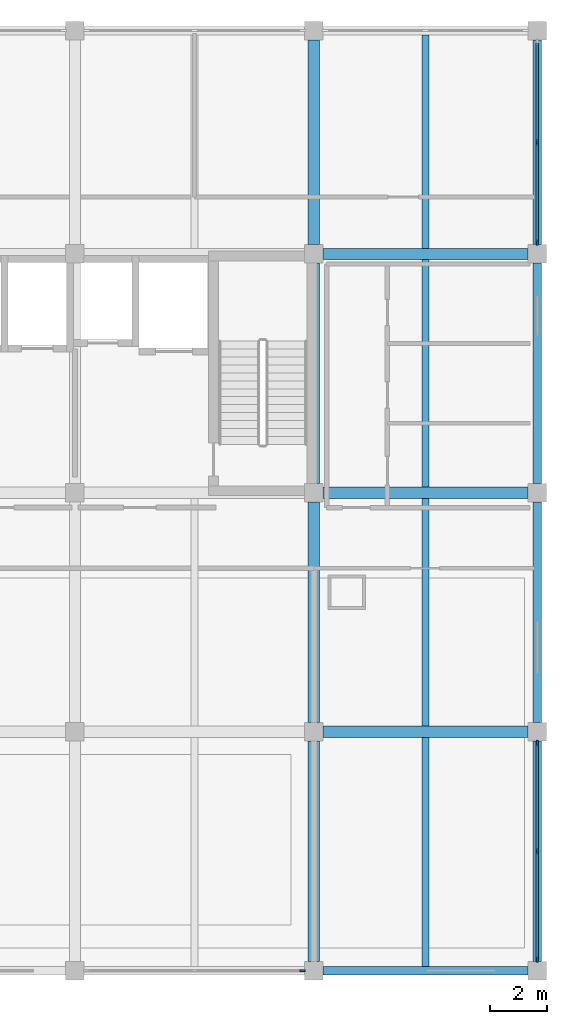
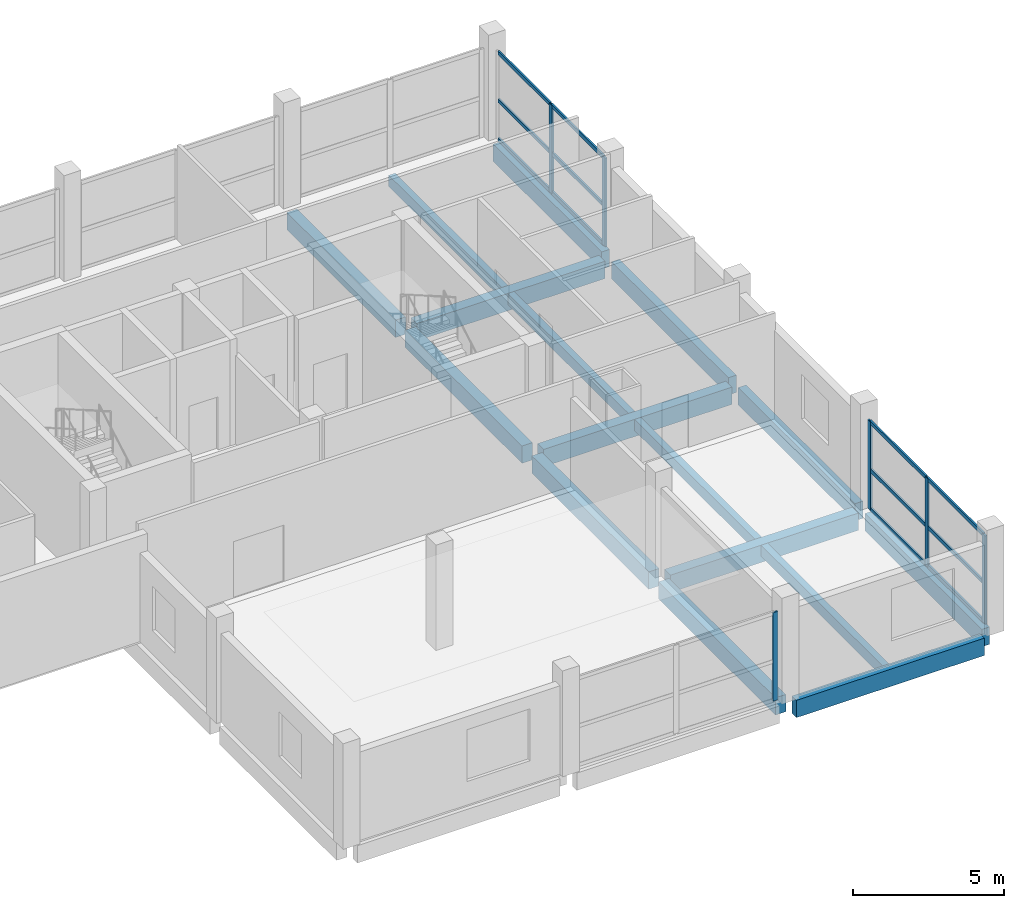
# One storey, part 4 of 9: 18 members, 16 beams, 3 elements without a shape of their own.
"""IFC4 building model written with IfcOpenShell, lengths in metres."""

from ifc_helpers import new_model, si_unit, direction, frame, origin, origin_2d, place, context, subcontext, project, spatial, rectangle, extrude, material, material_profile, profile_set, type_object, element, aggregate, save


model = new_model("IFC4")

# Units and contexts
model_context = context("Model", 3, precision=1e-05, world=origin(), true_north=direction((0.0, 1.0)))
body_context = subcontext(model_context, "Body", "Model", "MODEL_VIEW")
ifc_project = project(units=[si_unit("LENGTHUNIT", "METRE"), si_unit("AREAUNIT", "SQUARE_METRE"), si_unit("VOLUMEUNIT", "CUBIC_METRE"), si_unit("PLANEANGLEUNIT", "RADIAN"), si_unit("MASSUNIT", "GRAM", prefix="KILO")], contexts=[model_context])

# Site, building, storey
site_placement = place(None, origin())
site = spatial("IfcSite", under=ifc_project, at=site_placement, CompositionType="ELEMENT")
building_placement = place(site_placement, origin())
building = spatial("IfcBuilding", under=site, at=building_placement, Name="Brinegate Botanical Conservatory", CompositionType="ELEMENT")
storey_placement = place(building_placement, frame((0.0, 0.0, 61.199951171875)))
storey = spatial("IfcBuildingStorey", under=building, at=storey_placement, Name="L15", CompositionType="ELEMENT", Elevation=61.199951171875)

# Beams
ifc_material_1 = material(Name="Concrete C40/50", Category="concrete")
ifc_material_profile_1 = material_profile(ifc_material_1, rectangle(XDim=0.39990234375, YDim=0.699951171875, at=origin_2d()), Name="RC BM 400x700")
ifc_profile_set_1 = profile_set([ifc_material_profile_1], Name="Concrete C40/50")
beam_type_1 = type_object("IfcBeamType", Name="Beam_BM-T2", PredefinedType="BEAM", material=ifc_profile_set_1)
for number, where, z_axis, x_axis, name in (
    (1, (155.925048828125, 86.800048828125, -0.530029296875), (1.0, 0.0, 0.0), (0.0, 1.0, 0.0), "Beam BM-T2 L15 L:20-21"),
    (2, (155.925048828125, 95.199951171875, -0.530029296875), (1.0, 0.0, 0.0), (0.0, 1.0, 0.0), "Beam BM-T2 L15 M:20-21"),
    (3, (155.925048828125, 103.60009765625, -0.530029296875), (1.0, 0.0, 0.0), (0.0, 1.0, 0.0), "Beam BM-T2 L15 N:20-21"),
):
    element("IfcBeam", number, at=place(storey_placement, frame(where, z_axis=z_axis, x_axis=x_axis)), inside=storey, type_object=beam_type_1, Name=name, PredefinedType="BEAM", context=body_context, shape_type="SweptSolid", body=[
        extrude(rectangle(XDim=0.39990234375, YDim=0.699951171875, at=origin_2d()), origin(), (0.0, 0.0, 1.0), 7.199951171875),
    ])
for number, where, z_axis, x_axis, name in (
    (4, (155.60009765625, 78.72509765625, -0.530029296875), (0.0, 1.0, 0.0), (-1.0, 0.0, 0.0), "Beam BM-T2 L15 20:K-L"),
    (5, (155.60009765625, 87.125, -0.530029296875), (0.0, 1.0, 0.0), (-1.0, 0.0, 0.0), "Beam BM-T2 L15 20:L-M"),
    (6, (155.60009765625, 95.52490234375, -0.530029296875), (0.0, 1.0, 0.0), (-1.0, 0.0, 0.0), "Beam BM-T2 L15 20:M-N"),
):
    element("IfcBeam", number, at=place(storey_placement, frame(where, z_axis=z_axis, x_axis=x_axis)), inside=storey, type_object=beam_type_1, Name=name, PredefinedType="BEAM", context=body_context, shape_type="SweptSolid", body=[
        extrude(rectangle(XDim=0.39990234375, YDim=0.699951171875, at=origin_2d()), origin(), (0.0, 0.0, 1.0), 7.75),
    ])
beam_1_placement = place(storey_placement, frame((155.60009765625, 103.925048828125, -0.530029296875), z_axis=(0.0, 1.0, 0.0), x_axis=(-1.0, 0.0, 0.0)))
element("IfcBeam", 7, at=beam_1_placement, inside=storey, type_object=beam_type_1, Name="Beam BM-T2 L15 20:N-P", PredefinedType="BEAM", context=body_context, shape_type="SweptSolid", body=[
    extrude(rectangle(XDim=0.39990234375, YDim=0.699951171875, at=origin_2d()), origin(), (0.0, 0.0, 1.0), 7.199951171875),
])
ifc_material_profile_2 = material_profile(ifc_material_1, rectangle(XDim=0.25, YDim=0.449951171875, at=origin_2d()), Name="RC JST 250x450")
ifc_profile_set_2 = profile_set([ifc_material_profile_2], Name="Concrete C40/50")
beam_type_2 = type_object("IfcBeamType", Name="Beam_JS-C3", PredefinedType="JOIST", material=ifc_profile_set_2)
beam_2_placement = place(storey_placement, frame((159.52490234375, 78.550048828125, -0.405029296875), z_axis=(0.0, 1.0, 0.0), x_axis=(-1.0, 0.0, 0.0)))
element("IfcBeam", 8, at=beam_2_placement, inside=storey, type_object=beam_type_2, Name="Floor joist JS-C3 L15 bay 20.10", PredefinedType="JOIST", context=body_context, shape_type="SweptSolid", body=[
    extrude(rectangle(XDim=0.25, YDim=0.449951171875, at=origin_2d()), origin(), (0.0, 0.0, 1.0), 8.050048828125),
])
for number, where, z_axis, x_axis, name in (
    (9, (159.52490234375, 87.0, -0.405029296875), (0.0, 1.0, 0.0), (-1.0, 0.0, 0.0), "Floor joist JS-C3 L15 bay 20.11"),
    (10, (159.52490234375, 95.39990234375, -0.405029296875), (0.0, 1.0, 0.0), (-1.0, 0.0, 0.0), "Floor joist JS-C3 L15 bay 20.12"),
):
    element("IfcBeam", number, at=place(storey_placement, frame(where, z_axis=z_axis, x_axis=x_axis)), inside=storey, type_object=beam_type_2, Name=name, PredefinedType="JOIST", context=body_context, shape_type="SweptSolid", body=[
        extrude(rectangle(XDim=0.25, YDim=0.449951171875, at=origin_2d()), origin(), (0.0, 0.0, 1.0), 8.0),
    ])
beam_3_placement = place(storey_placement, frame((159.52490234375, 103.800048828125, -0.405029296875), z_axis=(0.0, 1.0, 0.0), x_axis=(-1.0, 0.0, 0.0)))
element("IfcBeam", 11, at=beam_3_placement, inside=storey, type_object=beam_type_2, Name="Floor joist JS-C3 L15 bay 20.13", PredefinedType="JOIST", context=body_context, shape_type="SweptSolid", body=[
    extrude(rectangle(XDim=0.25, YDim=0.449951171875, at=origin_2d()), origin(), (0.0, 0.0, 1.0), 7.5),
])
ifc_material_profile_3 = material_profile(ifc_material_1, rectangle(XDim=0.300048828125, YDim=0.699951171875, at=origin_2d()), Name="RC SPN 300x700")
ifc_profile_set_3 = profile_set([ifc_material_profile_3], Name="Concrete C40/50")
beam_type_3 = type_object("IfcBeamType", Name="Beam_SP-02", PredefinedType="SPANDREL", material=ifc_profile_set_3)
beam_4_placement = place(storey_placement, frame((155.925048828125, 78.39990234375, -0.530029296875), z_axis=(1.0, 0.0, 0.0), x_axis=(0.0, 1.0, 0.0)))
element("IfcBeam", 12, at=beam_4_placement, inside=storey, type_object=beam_type_3, Name="Beam SP-02 L15 K:20-21", PredefinedType="SPANDREL", context=body_context, shape_type="SweptSolid", body=[
    extrude(rectangle(XDim=0.300048828125, YDim=0.699951171875, at=origin_2d()), origin(), (0.0, 0.0, 1.0), 7.199951171875),
])
for number, where, z_axis, x_axis, name in (
    (13, (163.449951171875, 78.72509765625, -0.530029296875), (0.0, 1.0, 0.0), (-1.0, 0.0, 0.0), "Beam SP-02 L15 21:K-L"),
    (14, (163.449951171875, 87.125, -0.530029296875), (0.0, 1.0, 0.0), (-1.0, 0.0, 0.0), "Beam SP-02 L15 21:L-M"),
    (15, (163.449951171875, 95.52490234375, -0.530029296875), (0.0, 1.0, 0.0), (-1.0, 0.0, 0.0), "Beam SP-02 L15 21:M-N"),
):
    element("IfcBeam", number, at=place(storey_placement, frame(where, z_axis=z_axis, x_axis=x_axis)), inside=storey, type_object=beam_type_3, Name=name, PredefinedType="SPANDREL", context=body_context, shape_type="SweptSolid", body=[
        extrude(rectangle(XDim=0.300048828125, YDim=0.699951171875, at=origin_2d()), origin(), (0.0, 0.0, 1.0), 7.75),
    ])
beam_5_placement = place(storey_placement, frame((163.449951171875, 103.925048828125, -0.530029296875), z_axis=(0.0, 1.0, 0.0), x_axis=(-1.0, 0.0, 0.0)))
element("IfcBeam", 16, at=beam_5_placement, inside=storey, type_object=beam_type_3, Name="Beam SP-02 L15 21:N-P", PredefinedType="SPANDREL", context=body_context, shape_type="SweptSolid", body=[
    extrude(rectangle(XDim=0.300048828125, YDim=0.699951171875, at=origin_2d()), origin(), (0.0, 0.0, 1.0), 7.199951171875),
])

# Curtain wall, member
ifc_material_2 = material(Name="Thermally broken anodised aluminium AW-6063-T6", Category="aluminium")
curtain_wall_type = type_object("IfcCurtainWallType", Name="CW_CW-TW2", PredefinedType="USERDEFINED", material=ifc_material_2)
curtain_wall_1_placement = place(storey_placement, origin())
curtain_wall_1 = element("IfcCurtainWall", 17, at=curtain_wall_1_placement, inside=storey, type_object=curtain_wall_type, Name="Tower south curtain wall L15.2", ObjectType="FACTORY CURTAIN WALL", PredefinedType="USERDEFINED")
ifc_material_profile_4 = material_profile(ifc_material_2, rectangle(XDim=0.070068359375, YDim=0.199951171875, at=origin_2d()), Name="ALUM MULLION 70x200")
ifc_profile_set_4 = profile_set([ifc_material_profile_4], Name="Thermally broken anodised aluminium AW-6063-T6")
member_type_1 = type_object("IfcMemberType", Name="Member_ML-03", PredefinedType="MULLION", material=ifc_profile_set_4)
member_1_placement = place(storey_placement, frame((155.199951171875, 78.39990234375, 0.0), z_axis=(0.0, 0.0, 1.0), x_axis=(0.0, -1.0, 0.0)))
member_1 = element("IfcMember", 18, at=member_1_placement, type_object=member_type_1, Name="CW-TW2 mullion 1", PredefinedType="MULLION", context=body_context, shape_type="SweptSolid", body=[
    extrude(rectangle(XDim=0.070068359375, YDim=0.199951171875, at=origin_2d()), origin(), (0.0, 0.0, 1.0), 3.580078125),
])
aggregate(curtain_wall_1, [member_1])

# Curtain wall, members
curtain_wall_2_placement = place(storey_placement, origin())
curtain_wall_2 = element("IfcCurtainWall", 19, at=curtain_wall_2_placement, inside=storey, type_object=curtain_wall_type, Name="Tower east curtain wall L15.1", ObjectType="FACTORY CURTAIN WALL", PredefinedType="USERDEFINED")
member_2_placement = place(storey_placement, frame((163.449951171875, 86.39990234375, 0.0), z_axis=(0.0, 0.0, 1.0), x_axis=(1.0, 0.0, 0.0)))
member_2 = element("IfcMember", 20, at=member_2_placement, type_object=member_type_1, Name="CW-TW2 mullion 1", PredefinedType="MULLION", context=body_context, shape_type="SweptSolid", body=[
    extrude(rectangle(XDim=0.070068359375, YDim=0.199951171875, at=origin_2d()), origin(), (0.0, 0.0, 1.0), 3.580078125),
])
member_3_placement = place(storey_placement, frame((163.449951171875, 82.60009765625, 0.0), z_axis=(0.0, 0.0, 1.0), x_axis=(1.0, 0.0, 0.0)))
member_3 = element("IfcMember", 21, at=member_3_placement, type_object=member_type_1, Name="CW-TW2 mullion 2", PredefinedType="MULLION", context=body_context, shape_type="SweptSolid", body=[
    extrude(rectangle(XDim=0.070068359375, YDim=0.199951171875, at=origin_2d()), origin(), (0.0, 0.0, 1.0), 3.580078125),
])
member_4_placement = place(storey_placement, frame((163.449951171875, 78.800048828125, 0.0), z_axis=(0.0, 0.0, 1.0), x_axis=(1.0, 0.0, 0.0)))
member_4 = element("IfcMember", 22, at=member_4_placement, type_object=member_type_1, Name="CW-TW2 mullion 3", PredefinedType="MULLION", context=body_context, shape_type="SweptSolid", body=[
    extrude(rectangle(XDim=0.070068359375, YDim=0.199951171875, at=origin_2d()), origin(), (0.0, 0.0, 1.0), 3.580078125),
])

curtain_wall_3_placement = place(storey_placement, origin())
curtain_wall_3 = element("IfcCurtainWall", 23, at=curtain_wall_3_placement, inside=storey, type_object=curtain_wall_type, Name="Tower east curtain wall L15.4", ObjectType="FACTORY CURTAIN WALL", PredefinedType="USERDEFINED")
member_5_placement = place(storey_placement, frame((163.449951171875, 107.52490234375, 0.0), z_axis=(0.0, 0.0, 1.0), x_axis=(1.0, 0.0, 0.0)))
member_5 = element("IfcMember", 24, at=member_5_placement, type_object=member_type_1, Name="CW-TW2 mullion 2", PredefinedType="MULLION", context=body_context, shape_type="SweptSolid", body=[
    extrude(rectangle(XDim=0.070068359375, YDim=0.199951171875, at=origin_2d()), origin(), (0.0, 0.0, 1.0), 3.580078125),
])
member_6_placement = place(storey_placement, frame((163.449951171875, 104.0, 0.0), z_axis=(0.0, 0.0, 1.0), x_axis=(1.0, 0.0, 0.0)))
member_6 = element("IfcMember", 25, at=member_6_placement, type_object=member_type_1, Name="CW-TW2 mullion 3", PredefinedType="MULLION", context=body_context, shape_type="SweptSolid", body=[
    extrude(rectangle(XDim=0.070068359375, YDim=0.199951171875, at=origin_2d()), origin(), (0.0, 0.0, 1.0), 3.580078125),
])

# Member
ifc_material_profile_5 = material_profile(ifc_material_2, rectangle(XDim=0.070068359375, YDim=0.14990234375, at=origin_2d()), Name="ALUM TRANSOM 70x150")
ifc_profile_set_5 = profile_set([ifc_material_profile_5], Name="Thermally broken anodised aluminium AW-6063-T6")
member_type_2 = type_object("IfcMemberType", Name="Member_TR-03", PredefinedType="USERDEFINED", material=ifc_profile_set_5)
member_7_placement = place(storey_placement, frame((163.449951171875, 86.364990234375, 0.03515625), z_axis=(0.0, -1.0, 0.0), x_axis=(1.0, 0.0, 0.0)))
member_7 = element("IfcMember", 26, at=member_7_placement, type_object=member_type_2, Name="CW-TW2 transom 1.1", ObjectType="TRANSOM", PredefinedType="USERDEFINED", context=body_context, shape_type="SweptSolid", body=[
    extrude(rectangle(XDim=0.070068359375, YDim=0.14990234375, at=origin_2d()), origin(), (0.0, 0.0, 1.0), 3.72998046875),
])

member_8_placement = place(storey_placement, frame((163.449951171875, 86.364990234375, 1.611083984375), z_axis=(0.0, -1.0, 0.0), x_axis=(1.0, 0.0, 0.0)))
member_8 = element("IfcMember", 27, at=member_8_placement, type_object=member_type_2, Name="CW-TW2 transom 1.2", ObjectType="TRANSOM", PredefinedType="USERDEFINED", context=body_context, shape_type="SweptSolid", body=[
    extrude(rectangle(XDim=0.070068359375, YDim=0.14990234375, at=origin_2d()), origin(), (0.0, 0.0, 1.0), 3.72998046875),
])

member_9_placement = place(storey_placement, frame((163.449951171875, 86.364990234375, 3.545166015625), z_axis=(0.0, -1.0, 0.0), x_axis=(1.0, 0.0, 0.0)))
member_9 = element("IfcMember", 28, at=member_9_placement, type_object=member_type_2, Name="CW-TW2 transom 1.3", ObjectType="TRANSOM", PredefinedType="USERDEFINED", context=body_context, shape_type="SweptSolid", body=[
    extrude(rectangle(XDim=0.070068359375, YDim=0.14990234375, at=origin_2d()), origin(), (0.0, 0.0, 1.0), 3.72998046875),
])

member_10_placement = place(storey_placement, frame((163.449951171875, 82.56494140625, 0.03515625), z_axis=(0.0, -1.0, 0.0), x_axis=(1.0, 0.0, 0.0)))
member_10 = element("IfcMember", 29, at=member_10_placement, type_object=member_type_2, Name="CW-TW2 transom 2.1", ObjectType="TRANSOM", PredefinedType="USERDEFINED", context=body_context, shape_type="SweptSolid", body=[
    extrude(rectangle(XDim=0.070068359375, YDim=0.14990234375, at=origin_2d()), origin(), (0.0, 0.0, 1.0), 3.72998046875),
])

member_11_placement = place(storey_placement, frame((163.449951171875, 82.56494140625, 1.611083984375), z_axis=(0.0, -1.0, 0.0), x_axis=(1.0, 0.0, 0.0)))
member_11 = element("IfcMember", 30, at=member_11_placement, type_object=member_type_2, Name="CW-TW2 transom 2.2", ObjectType="TRANSOM", PredefinedType="USERDEFINED", context=body_context, shape_type="SweptSolid", body=[
    extrude(rectangle(XDim=0.070068359375, YDim=0.14990234375, at=origin_2d()), origin(), (0.0, 0.0, 1.0), 3.72998046875),
])

member_12_placement = place(storey_placement, frame((163.449951171875, 82.56494140625, 3.545166015625), z_axis=(0.0, -1.0, 0.0), x_axis=(1.0, 0.0, 0.0)))
member_12 = element("IfcMember", 31, at=member_12_placement, type_object=member_type_2, Name="CW-TW2 transom 2.3", ObjectType="TRANSOM", PredefinedType="USERDEFINED", context=body_context, shape_type="SweptSolid", body=[
    extrude(rectangle(XDim=0.070068359375, YDim=0.14990234375, at=origin_2d()), origin(), (0.0, 0.0, 1.0), 3.72998046875),
])

aggregate(curtain_wall_2, [member_2, member_3, member_4, member_7, member_8, member_9, member_10, member_11, member_12])

member_13_placement = place(storey_placement, frame((163.449951171875, 111.014892578125, 0.03515625), z_axis=(0.0, -1.0, 0.0), x_axis=(1.0, 0.0, 0.0)))
member_13 = element("IfcMember", 32, at=member_13_placement, type_object=member_type_2, Name="CW-TW2 transom 1.1", ObjectType="TRANSOM", PredefinedType="USERDEFINED", context=body_context, shape_type="SweptSolid", body=[
    extrude(rectangle(XDim=0.070068359375, YDim=0.14990234375, at=origin_2d()), origin(), (0.0, 0.0, 1.0), 3.454833984375),
])

member_14_placement = place(storey_placement, frame((163.449951171875, 111.014892578125, 1.611083984375), z_axis=(0.0, -1.0, 0.0), x_axis=(1.0, 0.0, 0.0)))
member_14 = element("IfcMember", 33, at=member_14_placement, type_object=member_type_2, Name="CW-TW2 transom 1.2", ObjectType="TRANSOM", PredefinedType="USERDEFINED", context=body_context, shape_type="SweptSolid", body=[
    extrude(rectangle(XDim=0.070068359375, YDim=0.14990234375, at=origin_2d()), origin(), (0.0, 0.0, 1.0), 3.454833984375),
])

member_15_placement = place(storey_placement, frame((163.449951171875, 111.014892578125, 3.545166015625), z_axis=(0.0, -1.0, 0.0), x_axis=(1.0, 0.0, 0.0)))
member_15 = element("IfcMember", 34, at=member_15_placement, type_object=member_type_2, Name="CW-TW2 transom 1.3", ObjectType="TRANSOM", PredefinedType="USERDEFINED", context=body_context, shape_type="SweptSolid", body=[
    extrude(rectangle(XDim=0.070068359375, YDim=0.14990234375, at=origin_2d()), origin(), (0.0, 0.0, 1.0), 3.454833984375),
])

member_16_placement = place(storey_placement, frame((163.449951171875, 107.489990234375, 0.03515625), z_axis=(0.0, -1.0, 0.0), x_axis=(1.0, 0.0, 0.0)))
member_16 = element("IfcMember", 35, at=member_16_placement, type_object=member_type_2, Name="CW-TW2 transom 2.1", ObjectType="TRANSOM", PredefinedType="USERDEFINED", context=body_context, shape_type="SweptSolid", body=[
    extrude(rectangle(XDim=0.070068359375, YDim=0.14990234375, at=origin_2d()), origin(), (0.0, 0.0, 1.0), 3.455078125),
])

member_17_placement = place(storey_placement, frame((163.449951171875, 107.489990234375, 1.611083984375), z_axis=(0.0, -1.0, 0.0), x_axis=(1.0, 0.0, 0.0)))
member_17 = element("IfcMember", 36, at=member_17_placement, type_object=member_type_2, Name="CW-TW2 transom 2.2", ObjectType="TRANSOM", PredefinedType="USERDEFINED", context=body_context, shape_type="SweptSolid", body=[
    extrude(rectangle(XDim=0.070068359375, YDim=0.14990234375, at=origin_2d()), origin(), (0.0, 0.0, 1.0), 3.455078125),
])

member_18_placement = place(storey_placement, frame((163.449951171875, 107.489990234375, 3.545166015625), z_axis=(0.0, -1.0, 0.0), x_axis=(1.0, 0.0, 0.0)))
member_18 = element("IfcMember", 37, at=member_18_placement, type_object=member_type_2, Name="CW-TW2 transom 2.3", ObjectType="TRANSOM", PredefinedType="USERDEFINED", context=body_context, shape_type="SweptSolid", body=[
    extrude(rectangle(XDim=0.070068359375, YDim=0.14990234375, at=origin_2d()), origin(), (0.0, 0.0, 1.0), 3.455078125),
])

aggregate(curtain_wall_3, [member_5, member_6, member_13, member_14, member_15, member_16, member_17, member_18])

save(model, "model.ifc")
